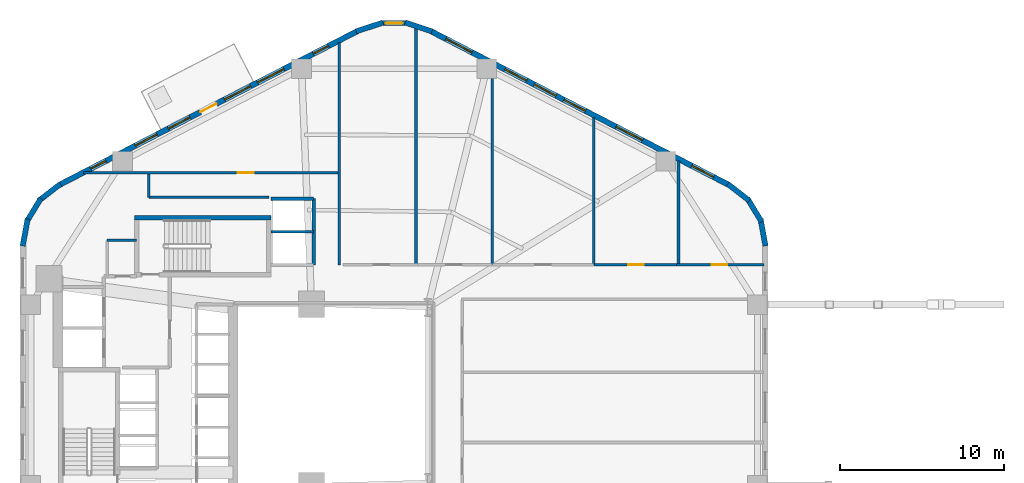
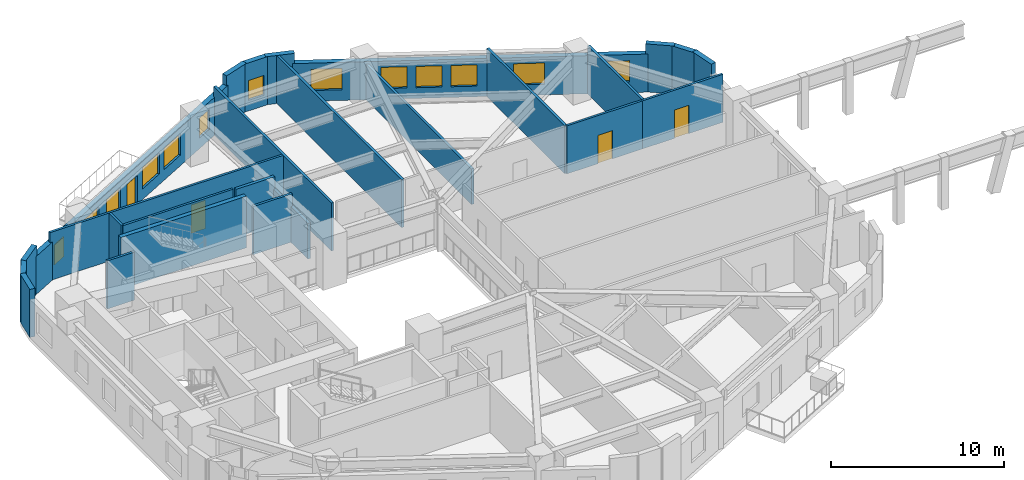
# One storey, part 5 of 8: 26 walls, 13 windows, 4 doors, 17 openings.
"""IFC4 building model written with IfcOpenShell, lengths in metres."""

from ifc_helpers import new_model, si_unit, direction, frame, frame_2d, origin, place, context, subcontext, project, spatial, rectangle, extrude, material, layer, layer_set, type_object, element, fill, save


model = new_model("IFC4")

# Units and contexts
model_context = context("Model", 3, precision=1e-05, world=origin(), true_north=direction((0.0, 1.0)))
body_context = subcontext(model_context, "Body", "Model", "MODEL_VIEW")
ifc_project = project(units=[si_unit("LENGTHUNIT", "METRE"), si_unit("AREAUNIT", "SQUARE_METRE"), si_unit("VOLUMEUNIT", "CUBIC_METRE"), si_unit("PLANEANGLEUNIT", "RADIAN"), si_unit("MASSUNIT", "GRAM", prefix="KILO"), si_unit("THERMODYNAMICTEMPERATUREUNIT", "KELVIN"), si_unit("POWERUNIT", "WATT")], contexts=[model_context])

# Site, building, storey
site_placement = place(None, origin())
site = spatial("IfcSite", under=ifc_project, at=site_placement, CompositionType="ELEMENT")
building_placement = place(site_placement, origin())
building = spatial("IfcBuilding", under=site, at=building_placement, Name="Skarre Station Tower", CompositionType="ELEMENT")
storey_placement = place(building_placement, frame((0.0, 0.0, 45.25)))
storey = spatial("IfcBuildingStorey", under=building, at=storey_placement, Name="L11", CompositionType="ELEMENT", Elevation=45.25)

# Wall
ifc_material_1 = material(Name="Acoustic Steel-Stud Gypsum Partition", Category="steel")
ifc_layer_1 = layer(ifc_material_1, 0.14990234375, Name="Acoustic Steel-Stud Gypsum Partition")
ifc_layer_set_1 = layer_set([ifc_layer_1], Name="Acoustic Steel-Stud Gypsum Partition")
wall_type_1 = type_object("IfcWallType", Name="Fire-Rated Corridor Acoustic Partition 150", PredefinedType="PARTITIONING", material=ifc_layer_set_1)
wall_1_placement = place(storey_placement, frame((21.659912109375, 33.449951171875, 0.0), z_axis=(0.0, 0.0, 1.0), x_axis=(-1.0, 0.0, 0.0)))
element("IfcWall", 1, at=wall_1_placement, inside=storey, type_object=wall_type_1, Name="L11 Interior Partition WL-PT-L11-CNW-N1", PredefinedType="PARTITIONING", context=body_context, shape_type="SweptSolid", body=[
    extrude(rectangle(XDim=1.809814453125, YDim=0.14990234375, at=frame_2d((0.90478515625, 0.0))), origin(), (0.0, 0.0, 1.0), 3.389892578125),
])

# Wall, opening, door
wall_2_placement = place(storey_placement, frame((34.0, 37.580078125, 0.0), z_axis=(0.0, 0.0, 1.0), x_axis=(-1.0, 0.0, 0.0)))
wall_2 = element("IfcWall", 2, at=wall_2_placement, inside=storey, type_object=wall_type_1, Name="L11 Interior Partition WL-PT-L11-NWW1-CW", PredefinedType="PARTITIONING", context=body_context, shape_type="SweptSolid", body=[
    extrude(rectangle(XDim=15.60009765625, YDim=0.14990234375, at=frame_2d((7.800048828125, 0.0))), origin(), (0.0, 0.0, 1.0), 3.389892578125),
])
opening_1_placement = place(wall_2_placement, frame((5.195068359375, 0.0, 0.0)))
opening_1 = element("IfcOpeningElement", 3, at=opening_1_placement, cuts=wall_2, Name="Opening DR-FD60", PredefinedType="OPENING", context=body_context, shape_type="SweptSolid", body=[
    extrude(rectangle(XDim=0.9599609375, YDim=2.0, at=frame_2d((0.47998046875, 1.0))), frame((0.0, 0.0849609375, 0.0), z_axis=(0.0, -1.0, 0.0), x_axis=(1.0, 0.0, 0.0)), (0.0, 0.0, 1.0), 0.169921875),
])
ifc_material_2 = material(Name="Nordic White-Oak Veneer Solid-Core Fire Leaf", Category="wood")
door_type_1 = type_object("IfcDoorType", Name="Corridor Suite Entry Fire Door FD60 960x2150", OperationType="SINGLE_SWING_LEFT", PredefinedType="DOOR", material=ifc_material_2)
door_1_placement = place(opening_1_placement, origin())
door_1 = element("IfcDoor", 4, at=door_1_placement, inside=storey, type_object=door_type_1, Name="L11 NWW1 Entry Door", OperationType="SINGLE_SWING_LEFT", OverallHeight=2.0, OverallWidth=0.9599609375, PredefinedType="DOOR", context=body_context, shape_type="SweptSolid", body=[
    extrude(rectangle(XDim=0.9599609375, YDim=2.0, at=frame_2d((0.47998046875, 1.0))), frame((0.0, 0.02490234375, 0.0), z_axis=(0.0, -1.0, 0.0), x_axis=(1.0, 0.0, 0.0)), (0.0, 0.0, 1.0), 0.050048828125),
])
fill(opening_1, door_1)

wall_3_placement = place(storey_placement, frame((54.656005859375, 31.9599609375, 0.0), z_axis=(0.0, 0.0, 1.0), x_axis=(-1.0, 0.0, 0.0)))
wall_3 = element("IfcWall", 5, at=wall_3_placement, inside=storey, type_object=wall_type_1, Name="L11 Interior Partition WL-PT-L11-NW4-CW", PredefinedType="PARTITIONING", context=body_context, shape_type="SweptSolid", body=[
    extrude(rectangle(XDim=5.030029296875, YDim=0.14990234375, at=frame_2d((2.51513671875, 0.0))), origin(), (0.0, 0.0, 1.0), 3.389892578125),
])
opening_2_placement = place(wall_3_placement, frame((1.97802734375, 0.0, 0.0)))
opening_2 = element("IfcOpeningElement", 6, at=opening_2_placement, cuts=wall_3, Name="Opening DR-FD60", PredefinedType="OPENING", context=body_context, shape_type="SweptSolid", body=[
    extrude(rectangle(XDim=0.9599609375, YDim=2.0, at=frame_2d((0.47998046875, 1.0))), frame((0.0, 0.0849609375, 0.0), z_axis=(0.0, -1.0, 0.0), x_axis=(1.0, 0.0, 0.0)), (0.0, 0.0, 1.0), 0.169921875),
])
door_2_placement = place(opening_2_placement, origin())
door_2 = element("IfcDoor", 7, at=door_2_placement, inside=storey, type_object=door_type_1, Name="L11 NW4 Entry Door", OperationType="SINGLE_SWING_LEFT", OverallHeight=2.0, OverallWidth=0.9599609375, PredefinedType="DOOR", context=body_context, shape_type="SweptSolid", body=[
    extrude(rectangle(XDim=0.9599609375, YDim=2.0, at=frame_2d((0.47998046875, 1.0))), frame((0.0, 0.02490234375, 0.0), z_axis=(0.0, -1.0, 0.0), x_axis=(1.0, 0.0, 0.0)), (0.0, 0.0, 1.0), 0.050048828125),
])
fill(opening_2, door_2)

wall_4_placement = place(storey_placement, frame((60.031982421875, 31.9599609375, 0.0), z_axis=(0.0, 0.0, 1.0), x_axis=(-1.0, 0.0, 0.0)))
wall_4 = element("IfcWall", 8, at=wall_4_placement, inside=storey, type_object=wall_type_1, Name="L11 Interior Partition WL-PT-L11-NW5-CW", PredefinedType="PARTITIONING", context=body_context, shape_type="SweptSolid", body=[
    extrude(rectangle(XDim=5.365966796875, YDim=0.14990234375, at=frame_2d((2.68310546875, 0.0))), origin(), (0.0, 0.0, 1.0), 3.389892578125),
])
opening_3_placement = place(wall_4_placement, frame((2.260009765625, 0.0, 0.0)))
opening_3 = element("IfcOpeningElement", 9, at=opening_3_placement, cuts=wall_4, Name="Opening DR-FD60", PredefinedType="OPENING", context=body_context, shape_type="SweptSolid", body=[
    extrude(rectangle(XDim=0.9599609375, YDim=2.0, at=frame_2d((0.47998046875, 1.0))), frame((0.0, 0.0849609375, 0.0), z_axis=(0.0, -1.0, 0.0), x_axis=(1.0, 0.0, 0.0)), (0.0, 0.0, 1.0), 0.169921875),
])
door_3_placement = place(opening_3_placement, origin())
door_3 = element("IfcDoor", 10, at=door_3_placement, inside=storey, type_object=door_type_1, Name="L11 NW5 Entry Door", OperationType="SINGLE_SWING_LEFT", OverallHeight=2.0, OverallWidth=0.9599609375, PredefinedType="DOOR", context=body_context, shape_type="SweptSolid", body=[
    extrude(rectangle(XDim=0.9599609375, YDim=2.0, at=frame_2d((0.47998046875, 1.0))), frame((0.0, 0.02490234375, 0.0), z_axis=(0.0, -1.0, 0.0), x_axis=(1.0, 0.0, 0.0)), (0.0, 0.0, 1.0), 0.050048828125),
])
fill(opening_3, door_3)

# Walls
wall_5_placement = place(storey_placement, frame((29.7529296875, 36.080078125, 0.0), z_axis=(0.0, 0.0, 1.0), x_axis=(-1.0, 0.0, 0.0)))
element("IfcWall", 11, at=wall_5_placement, inside=storey, type_object=wall_type_1, Name="L11 Interior Partition WL-PT-L11-CSEAL-1", PredefinedType="PARTITIONING", context=body_context, shape_type="SweptSolid", body=[
    extrude(rectangle(XDim=7.35302734375, YDim=0.14990234375, at=frame_2d((3.676513671875, 0.0))), origin(), (0.0, 0.0, 1.0), 3.389892578125),
])
wall_6_placement = place(storey_placement, frame((22.39990234375, 36.080078125, 0.0), z_axis=(0.0, 0.0, 1.0), x_axis=(0.0, 1.0, 0.0)))
element("IfcWall", 12, at=wall_6_placement, inside=storey, type_object=wall_type_1, Name="L11 Interior Partition WL-PT-L11-CSEAL-2", PredefinedType="PARTITIONING", context=body_context, shape_type="SweptSolid", body=[
    extrude(rectangle(XDim=1.429931640625, YDim=0.14990234375, at=frame_2d((0.71484375, 0.0))), origin(), (0.0, 0.0, 1.0), 3.389892578125),
])

# Wall, openings, windows
ifc_material_3 = material(Name="Precast concrete C45/55", Category="concrete")
ifc_layer_2 = layer(ifc_material_3, 0.340087890625, Name="Precast concrete C45/55")
ifc_layer_set_2 = layer_set([ifc_layer_2], Name="Precast concrete C45/55")
wall_type_2 = type_object("IfcWallType", Name="Nordic Honed Precast Facet Wall 340", PredefinedType="STANDARD", material=ifc_layer_set_2)
wall_7_placement = place(storey_placement, frame((39.631103515625, 46.257080078125, 0.0), z_axis=(0.0, 0.0, 1.0), x_axis=(0.888634413993, -0.458616264721, 0.0)))
wall_7 = element("IfcWall", 13, at=wall_7_placement, inside=storey, type_object=wall_type_2, Name="L11 Facet 0 Nordic Precast Masonry Wall", PredefinedType="STANDARD", context=body_context, shape_type="SweptSolid", body=[
    extrude(rectangle(XDim=20.53125, YDim=0.340087890625, at=frame_2d((10.265625, 0.0))), origin(), (0.0, 0.0, 1.0), 2.68408203125),
])
opening_4_placement = place(wall_7_placement, frame((1.05810546875, 0.0, 0.75)))
opening_4 = element("IfcOpeningElement", 14, at=opening_4_placement, cuts=wall_7, Name="Opening WN-Z1A", PredefinedType="OPENING", context=body_context, shape_type="SweptSolid", body=[
    extrude(rectangle(XDim=1.800048828125, YDim=1.5, at=frame_2d((0.89990234375, 0.75))), frame((0.0, 0.179931640625, 0.0), z_axis=(0.0, -1.0, 0.0), x_axis=(1.0, 0.0, 0.0)), (0.0, 0.0, 1.0), 0.360107421875),
])
opening_5_placement = place(wall_7_placement, frame((5.110107421875, 0.0, 0.75)))
opening_5 = element("IfcOpeningElement", 15, at=opening_5_placement, cuts=wall_7, Name="Opening WN-Z1B", PredefinedType="OPENING", context=body_context, shape_type="SweptSolid", body=[
    extrude(rectangle(XDim=1.5, YDim=1.5, at=frame_2d((0.75, 0.75))), frame((0.0, 0.179931640625, 0.0), z_axis=(0.0, -1.0, 0.0), x_axis=(1.0, 0.0, 0.0)), (0.0, 0.0, 1.0), 0.360107421875),
])
opening_6_placement = place(wall_7_placement, frame((7.137939453125, 0.0, 0.75)))
opening_6 = element("IfcOpeningElement", 16, at=opening_6_placement, cuts=wall_7, Name="Opening WN-Z1B", PredefinedType="OPENING", context=body_context, shape_type="SweptSolid", body=[
    extrude(rectangle(XDim=1.5, YDim=1.5, at=frame_2d((0.75, 0.75))), frame((0.0, 0.179931640625, 0.0), z_axis=(0.0, -1.0, 0.0), x_axis=(1.0, 0.0, 0.0)), (0.0, 0.0, 1.0), 0.360107421875),
])
opening_7_placement = place(wall_7_placement, frame((9.1650390625, 0.0, 0.75)))
opening_7 = element("IfcOpeningElement", 17, at=opening_7_placement, cuts=wall_7, Name="Opening WN-Z1B", PredefinedType="OPENING", context=body_context, shape_type="SweptSolid", body=[
    extrude(rectangle(XDim=1.5, YDim=1.5, at=frame_2d((0.75, 0.75))), frame((0.0, 0.179931640625, 0.0), z_axis=(0.0, -1.0, 0.0), x_axis=(1.0, 0.0, 0.0)), (0.0, 0.0, 1.0), 0.360107421875),
])
opening_8_placement = place(wall_7_placement, frame((12.77001953125, 0.0, 0.75)))
opening_8 = element("IfcOpeningElement", 18, at=opening_8_placement, cuts=wall_7, Name="Opening WN-Z1A", PredefinedType="OPENING", context=body_context, shape_type="SweptSolid", body=[
    extrude(rectangle(XDim=1.800048828125, YDim=1.5, at=frame_2d((0.89990234375, 0.75))), frame((0.0, 0.179931640625, 0.0), z_axis=(0.0, -1.0, 0.0), x_axis=(1.0, 0.0, 0.0)), (0.0, 0.0, 1.0), 0.360107421875),
])
opening_9_placement = place(wall_7_placement, frame((17.97998046875, 0.0, 0.75)))
opening_9 = element("IfcOpeningElement", 19, at=opening_9_placement, cuts=wall_7, Name="Opening WN-Z1B", PredefinedType="OPENING", context=body_context, shape_type="SweptSolid", body=[
    extrude(rectangle(XDim=1.5, YDim=1.5, at=frame_2d((0.75, 0.75))), frame((0.0, 0.179931640625, 0.0), z_axis=(0.0, -1.0, 0.0), x_axis=(1.0, 0.0, 0.0)), (0.0, 0.0, 1.0), 0.360107421875),
])
ifc_material_4 = material(Name="Low-Iron Triple Glazing with Bronze Anodized Frame", Category="glass")
window_type_1 = type_object("IfcWindowType", Name="Nordic Punched Triple-Glazed Window 1500x1500", PartitioningType="SINGLE_PANEL", PredefinedType="WINDOW", material=ifc_material_4)
window_1_placement = place(opening_5_placement, origin())
window_1 = element("IfcWindow", 20, at=window_1_placement, inside=storey, type_object=window_type_1, Name="L11 Facade Window WL-FAC-L11-F0-2", OverallHeight=1.5, OverallWidth=1.5, PartitioningType="SINGLE_PANEL", PredefinedType="WINDOW", context=body_context, shape_type="SweptSolid", body=[
    extrude(rectangle(XDim=1.5, YDim=1.5, at=frame_2d((0.75, 0.75))), frame((0.0, 0.030029296875, 0.0), z_axis=(0.0, -1.0, 0.0), x_axis=(1.0, 0.0, 0.0)), (0.0, 0.0, 1.0), 0.06005859375),
])
fill(opening_5, window_1)
window_2_placement = place(opening_6_placement, origin())
window_2 = element("IfcWindow", 21, at=window_2_placement, inside=storey, type_object=window_type_1, Name="L11 Facade Window WL-FAC-L11-F0-3", OverallHeight=1.5, OverallWidth=1.5, PartitioningType="SINGLE_PANEL", PredefinedType="WINDOW", context=body_context, shape_type="SweptSolid", body=[
    extrude(rectangle(XDim=1.5, YDim=1.5, at=frame_2d((0.75, 0.75))), frame((0.0, 0.030029296875, 0.0), z_axis=(0.0, -1.0, 0.0), x_axis=(1.0, 0.0, 0.0)), (0.0, 0.0, 1.0), 0.06005859375),
])
fill(opening_6, window_2)
window_3_placement = place(opening_7_placement, origin())
window_3 = element("IfcWindow", 22, at=window_3_placement, inside=storey, type_object=window_type_1, Name="L11 Facade Window WL-FAC-L11-F0-4", OverallHeight=1.5, OverallWidth=1.5, PartitioningType="SINGLE_PANEL", PredefinedType="WINDOW", context=body_context, shape_type="SweptSolid", body=[
    extrude(rectangle(XDim=1.5, YDim=1.5, at=frame_2d((0.75, 0.75))), frame((0.0, 0.030029296875, 0.0), z_axis=(0.0, -1.0, 0.0), x_axis=(1.0, 0.0, 0.0)), (0.0, 0.0, 1.0), 0.06005859375),
])
fill(opening_7, window_3)
window_4_placement = place(opening_9_placement, origin())
window_4 = element("IfcWindow", 23, at=window_4_placement, inside=storey, type_object=window_type_1, Name="L11 Facade Window WL-FAC-L11-F0-6", OverallHeight=1.5, OverallWidth=1.5, PartitioningType="SINGLE_PANEL", PredefinedType="WINDOW", context=body_context, shape_type="SweptSolid", body=[
    extrude(rectangle(XDim=1.5, YDim=1.5, at=frame_2d((0.75, 0.75))), frame((0.0, 0.030029296875, 0.0), z_axis=(0.0, -1.0, 0.0), x_axis=(1.0, 0.0, 0.0)), (0.0, 0.0, 1.0), 0.06005859375),
])
fill(opening_9, window_4)
window_type_2 = type_object("IfcWindowType", Name="Nordic Punched Triple-Glazed Window 1800x1500", PartitioningType="SINGLE_PANEL", PredefinedType="WINDOW", material=ifc_material_4)
window_5_placement = place(opening_4_placement, origin())
window_5 = element("IfcWindow", 24, at=window_5_placement, inside=storey, type_object=window_type_2, Name="L11 Facade Window WL-FAC-L11-F0-1", OverallHeight=1.5, OverallWidth=1.800048828125, PartitioningType="SINGLE_PANEL", PredefinedType="WINDOW", context=body_context, shape_type="SweptSolid", body=[
    extrude(rectangle(XDim=1.800048828125, YDim=1.5, at=frame_2d((0.89990234375, 0.75))), frame((0.0, 0.030029296875, 0.0), z_axis=(0.0, -1.0, 0.0), x_axis=(1.0, 0.0, 0.0)), (0.0, 0.0, 1.0), 0.06005859375),
])
fill(opening_4, window_5)
window_6_placement = place(opening_8_placement, origin())
window_6 = element("IfcWindow", 25, at=window_6_placement, inside=storey, type_object=window_type_2, Name="L11 Facade Window WL-FAC-L11-F0-5", OverallHeight=1.5, OverallWidth=1.800048828125, PartitioningType="SINGLE_PANEL", PredefinedType="WINDOW", context=body_context, shape_type="SweptSolid", body=[
    extrude(rectangle(XDim=1.800048828125, YDim=1.5, at=frame_2d((0.89990234375, 0.75))), frame((0.0, 0.030029296875, 0.0), z_axis=(0.0, -1.0, 0.0), x_axis=(1.0, 0.0, 0.0)), (0.0, 0.0, 1.0), 0.06005859375),
])
fill(opening_8, window_6)

# Wall, openings, windows, door
wall_8_placement = place(storey_placement, frame((16.924072265625, 36.841064453125, 0.0), z_axis=(0.0, 0.0, 1.0), x_axis=(0.888634413993, 0.458616264721, 0.0)))
wall_8 = element("IfcWall", 26, at=wall_8_placement, inside=storey, type_object=wall_type_2, Name="L11 Facet 1 Nordic Precast Masonry Wall", PredefinedType="STANDARD", context=body_context, shape_type="SweptSolid", body=[
    extrude(rectangle(XDim=20.53125, YDim=0.340087890625, at=frame_2d((10.265625, 0.0))), origin(), (0.0, 0.0, 1.0), 2.68408203125),
])
opening_10_placement = place(wall_8_placement, frame((9.716064453125, 0.0, 0.0)))
opening_10 = element("IfcOpeningElement", 27, at=opening_10_placement, cuts=wall_8, Name="Opening DR-BAL110", PredefinedType="OPENING", context=body_context, shape_type="SweptSolid", body=[
    extrude(rectangle(XDim=1.10009765625, YDim=2.0400390625, at=frame_2d((0.550048828125, 1.02001953125))), frame((0.0, 0.179931640625, 0.0), z_axis=(0.0, -1.0, 0.0), x_axis=(1.0, 0.0, 0.0)), (0.0, 0.0, 1.0), 0.360107421875),
])
opening_11_placement = place(wall_8_placement, frame((2.160888671875, 0.0, 0.75)))
opening_11 = element("IfcOpeningElement", 28, at=opening_11_placement, cuts=wall_8, Name="Opening WN-SLT", PredefinedType="OPENING", context=body_context, shape_type="SweptSolid", body=[
    extrude(rectangle(XDim=1.050048828125, YDim=1.39990234375, at=frame_2d((0.52490234375, 0.699951171875))), frame((0.0, 0.179931640625, 0.0), z_axis=(0.0, -1.0, 0.0), x_axis=(1.0, 0.0, 0.0)), (0.0, 0.0, 1.0), 0.360107421875),
])
opening_12_placement = place(wall_8_placement, frame((5.23388671875, 0.0, 0.75)))
opening_12 = element("IfcOpeningElement", 29, at=opening_12_placement, cuts=wall_8, Name="Opening WN-Z1B", PredefinedType="OPENING", context=body_context, shape_type="SweptSolid", body=[
    extrude(rectangle(XDim=1.5, YDim=1.5, at=frame_2d((0.75, 0.75))), frame((0.0, 0.179931640625, 0.0), z_axis=(0.0, -1.0, 0.0), x_axis=(1.0, 0.0, 0.0)), (0.0, 0.0, 1.0), 0.360107421875),
])
opening_13_placement = place(wall_8_placement, frame((7.509033203125, 0.0, 0.75)))
opening_13 = element("IfcOpeningElement", 30, at=opening_13_placement, cuts=wall_8, Name="Opening WN-Z1B", PredefinedType="OPENING", context=body_context, shape_type="SweptSolid", body=[
    extrude(rectangle(XDim=1.5, YDim=1.5, at=frame_2d((0.75, 0.75))), frame((0.0, 0.179931640625, 0.0), z_axis=(0.0, -1.0, 0.0), x_axis=(1.0, 0.0, 0.0)), (0.0, 0.0, 1.0), 0.360107421875),
])
opening_14_placement = place(wall_8_placement, frame((11.373046875, 0.0, 0.75)))
opening_14 = element("IfcOpeningElement", 31, at=opening_14_placement, cuts=wall_8, Name="Opening WN-Z1A", PredefinedType="OPENING", context=body_context, shape_type="SweptSolid", body=[
    extrude(rectangle(XDim=1.800048828125, YDim=1.5, at=frame_2d((0.89990234375, 0.75))), frame((0.0, 0.179931640625, 0.0), z_axis=(0.0, -1.0, 0.0), x_axis=(1.0, 0.0, 0.0)), (0.0, 0.0, 1.0), 0.360107421875),
])
opening_15_placement = place(wall_8_placement, frame((13.64794921875, 0.0, 0.75)))
opening_15 = element("IfcOpeningElement", 32, at=opening_15_placement, cuts=wall_8, Name="Opening WN-Z1A", PredefinedType="OPENING", context=body_context, shape_type="SweptSolid", body=[
    extrude(rectangle(XDim=1.800048828125, YDim=1.5, at=frame_2d((0.89990234375, 0.75))), frame((0.0, 0.179931640625, 0.0), z_axis=(0.0, -1.0, 0.0), x_axis=(1.0, 0.0, 0.0)), (0.0, 0.0, 1.0), 0.360107421875),
])
opening_16_placement = place(wall_8_placement, frame((17.47607421875, 0.0, 0.75)))
opening_16 = element("IfcOpeningElement", 33, at=opening_16_placement, cuts=wall_8, Name="Opening WN-SLT", PredefinedType="OPENING", context=body_context, shape_type="SweptSolid", body=[
    extrude(rectangle(XDim=1.050048828125, YDim=1.39990234375, at=frame_2d((0.52490234375, 0.699951171875))), frame((0.0, 0.179931640625, 0.0), z_axis=(0.0, -1.0, 0.0), x_axis=(1.0, 0.0, 0.0)), (0.0, 0.0, 1.0), 0.360107421875),
])
window_type_3 = type_object("IfcWindowType", Name="Nordic Corner Slot Window 1050x1400", PartitioningType="SINGLE_PANEL", PredefinedType="WINDOW", material=ifc_material_4)
window_7_placement = place(opening_11_placement, origin())
window_7 = element("IfcWindow", 34, at=window_7_placement, inside=storey, type_object=window_type_3, Name="L11 Facade Window WL-FAC-L11-F1-1", OverallHeight=1.39990234375, OverallWidth=1.050048828125, PartitioningType="SINGLE_PANEL", PredefinedType="WINDOW", context=body_context, shape_type="SweptSolid", body=[
    extrude(rectangle(XDim=1.050048828125, YDim=1.39990234375, at=frame_2d((0.52490234375, 0.699951171875))), frame((0.0, 0.030029296875, 0.0), z_axis=(0.0, -1.0, 0.0), x_axis=(1.0, 0.0, 0.0)), (0.0, 0.0, 1.0), 0.06005859375),
])
fill(opening_11, window_7)
window_8_placement = place(opening_16_placement, origin())
window_8 = element("IfcWindow", 35, at=window_8_placement, inside=storey, type_object=window_type_3, Name="L11 Facade Window WL-FAC-L11-F1-6", OverallHeight=1.39990234375, OverallWidth=1.050048828125, PartitioningType="SINGLE_PANEL", PredefinedType="WINDOW", context=body_context, shape_type="SweptSolid", body=[
    extrude(rectangle(XDim=1.050048828125, YDim=1.39990234375, at=frame_2d((0.52490234375, 0.699951171875))), frame((0.0, 0.030029296875, 0.0), z_axis=(0.0, -1.0, 0.0), x_axis=(1.0, 0.0, 0.0)), (0.0, 0.0, 1.0), 0.06005859375),
])
fill(opening_16, window_8)
window_9_placement = place(opening_12_placement, origin())
window_9 = element("IfcWindow", 36, at=window_9_placement, inside=storey, type_object=window_type_1, Name="L11 Facade Window WL-FAC-L11-F1-2", OverallHeight=1.5, OverallWidth=1.5, PartitioningType="SINGLE_PANEL", PredefinedType="WINDOW", context=body_context, shape_type="SweptSolid", body=[
    extrude(rectangle(XDim=1.5, YDim=1.5, at=frame_2d((0.75, 0.75))), frame((0.0, 0.030029296875, 0.0), z_axis=(0.0, -1.0, 0.0), x_axis=(1.0, 0.0, 0.0)), (0.0, 0.0, 1.0), 0.06005859375),
])
fill(opening_12, window_9)
window_10_placement = place(opening_13_placement, origin())
window_10 = element("IfcWindow", 37, at=window_10_placement, inside=storey, type_object=window_type_1, Name="L11 Facade Window WL-FAC-L11-F1-3", OverallHeight=1.5, OverallWidth=1.5, PartitioningType="SINGLE_PANEL", PredefinedType="WINDOW", context=body_context, shape_type="SweptSolid", body=[
    extrude(rectangle(XDim=1.5, YDim=1.5, at=frame_2d((0.75, 0.75))), frame((0.0, 0.030029296875, 0.0), z_axis=(0.0, -1.0, 0.0), x_axis=(1.0, 0.0, 0.0)), (0.0, 0.0, 1.0), 0.06005859375),
])
fill(opening_13, window_10)
window_11_placement = place(opening_14_placement, origin())
window_11 = element("IfcWindow", 38, at=window_11_placement, inside=storey, type_object=window_type_2, Name="L11 Facade Window WL-FAC-L11-F1-4", OverallHeight=1.5, OverallWidth=1.800048828125, PartitioningType="SINGLE_PANEL", PredefinedType="WINDOW", context=body_context, shape_type="SweptSolid", body=[
    extrude(rectangle(XDim=1.800048828125, YDim=1.5, at=frame_2d((0.89990234375, 0.75))), frame((0.0, 0.030029296875, 0.0), z_axis=(0.0, -1.0, 0.0), x_axis=(1.0, 0.0, 0.0)), (0.0, 0.0, 1.0), 0.06005859375),
])
fill(opening_14, window_11)
window_12_placement = place(opening_15_placement, origin())
window_12 = element("IfcWindow", 39, at=window_12_placement, inside=storey, type_object=window_type_2, Name="L11 Facade Window WL-FAC-L11-F1-5", OverallHeight=1.5, OverallWidth=1.800048828125, PartitioningType="SINGLE_PANEL", PredefinedType="WINDOW", context=body_context, shape_type="SweptSolid", body=[
    extrude(rectangle(XDim=1.800048828125, YDim=1.5, at=frame_2d((0.89990234375, 0.75))), frame((0.0, 0.030029296875, 0.0), z_axis=(0.0, -1.0, 0.0), x_axis=(1.0, 0.0, 0.0)), (0.0, 0.0, 1.0), 0.06005859375),
])
fill(opening_15, window_12)
ifc_material_5 = material(Name="Thermally Broken Aluminium & Triple Glazing", Category="aluminium")
door_type_2 = type_object("IfcDoorType", Name="Terrace & Tree-Balcony Glazed Door 1100x2200", OperationType="SINGLE_SWING_LEFT", PredefinedType="DOOR", material=ifc_material_5)
door_4_placement = place(opening_10_placement, origin())
door_4 = element("IfcDoor", 40, at=door_4_placement, inside=storey, type_object=door_type_2, Name="L11 TB-L11-F1 Tree-Balcony Glazed Door", OperationType="SINGLE_SWING_LEFT", OverallHeight=2.0400390625, OverallWidth=1.10009765625, PredefinedType="DOOR", context=body_context, shape_type="SweptSolid", body=[
    extrude(rectangle(XDim=1.10009765625, YDim=2.0400390625, at=frame_2d((0.550048828125, 1.02001953125))), frame((0.0, 0.02490234375, 0.0), z_axis=(0.0, -1.0, 0.0), x_axis=(1.0, 0.0, 0.0)), (0.0, 0.0, 1.0), 0.050048828125),
])
fill(opening_10, door_4)

# Walls
ifc_layer_3 = layer(ifc_material_3, 0.330078125, Name="Precast concrete C45/55")
ifc_layer_set_3 = layer_set([ifc_layer_3], Name="Precast concrete C45/55")
wall_type_3 = type_object("IfcWallType", Name="Nordic Rounded Corner Precast Wall 330", PredefinedType="STANDARD", material=ifc_layer_set_3)
wall_9_placement = place(storey_placement, frame((57.802001953125, 36.90087890625, 0.0), z_axis=(0.0, 0.0, 1.0), x_axis=(0.790691856293, -0.61221433207, 0.0)))
element("IfcWall", 41, at=wall_9_placement, inside=storey, type_object=wall_type_3, Name="L11 Rounded Corner Precast Wall F0-1", PredefinedType="STANDARD", context=body_context, shape_type="SweptSolid", body=[
    extrude(rectangle(XDim=1.67578125, YDim=0.330078125, at=frame_2d((0.837890625, 0.0))), origin(), (0.0, 0.0, 1.0), 3.389892578125),
])
wall_10_placement = place(storey_placement, frame((59.001953125, 36.014892578125, 0.0), z_axis=(0.0, 0.0, 1.0), x_axis=(0.520584129191, -0.853810379671, 0.0)))
element("IfcWall", 42, at=wall_10_placement, inside=storey, type_object=wall_type_3, Name="L11 Rounded Corner Precast Wall F0-2", PredefinedType="STANDARD", context=body_context, shape_type="SweptSolid", body=[
    extrude(rectangle(XDim=1.677001953125, YDim=0.330078125, at=frame_2d((0.83837890625, 0.0))), origin(), (0.0, 0.0, 1.0), 3.389892578125),
])
wall_11_placement = place(storey_placement, frame((59.80810546875, 34.758056640625, 0.0), z_axis=(0.0, 0.0, 1.0), x_axis=(0.181714143354, -0.983351397063, 0.0)))
element("IfcWall", 43, at=wall_11_placement, inside=storey, type_object=wall_type_3, Name="L11 Rounded Corner Precast Wall F0-3", PredefinedType="STANDARD", context=body_context, shape_type="SweptSolid", body=[
    extrude(rectangle(XDim=1.677978515625, YDim=0.330078125, at=frame_2d((0.8388671875, 0.0))), origin(), (0.0, 0.0, 1.0), 3.389892578125),
])
wall_12_placement = place(storey_placement, frame((35.0810546875, 46.23095703125, 0.0), z_axis=(0.0, 0.0, 1.0), x_axis=(0.94976901097, 0.312951794691, 0.0)))
element("IfcWall", 44, at=wall_12_placement, inside=storey, type_object=wall_type_3, Name="L11 Rounded Corner Precast Wall F1-1", PredefinedType="STANDARD", context=body_context, shape_type="SweptSolid", body=[
    extrude(rectangle(XDim=1.722412109375, YDim=0.330078125, at=frame_2d((0.861328125, 0.0))), origin(), (0.0, 0.0, 1.0), 3.389892578125),
])

# Wall, opening, window
wall_13_placement = place(storey_placement, frame((36.5390625, 46.740966796875, 0.0), z_axis=(0.0, 0.0, 1.0), x_axis=(1.0, 0.0, 0.0)))
wall_13 = element("IfcWall", 45, at=wall_13_placement, inside=storey, type_object=wall_type_3, Name="L11 Rounded Corner Precast Wall F1-2", PredefinedType="STANDARD", context=body_context, shape_type="SweptSolid", body=[
    extrude(rectangle(XDim=1.721923828125, YDim=0.330078125, at=frame_2d((0.86083984375, 0.0))), origin(), (0.0, 0.0, 1.0), 3.389892578125),
])
opening_17_placement = place(wall_13_placement, frame((0.3359375, 0.0, 0.75)))
opening_17 = element("IfcOpeningElement", 46, at=opening_17_placement, cuts=wall_13, Name="Opening WN-SLT", PredefinedType="OPENING", context=body_context, shape_type="SweptSolid", body=[
    extrude(rectangle(XDim=1.050048828125, YDim=1.39990234375, at=frame_2d((0.52490234375, 0.699951171875))), frame((0.0, 0.175048828125, 0.0), z_axis=(0.0, -1.0, 0.0), x_axis=(1.0, 0.0, 0.0)), (0.0, 0.0, 1.0), 0.35009765625),
])
window_13_placement = place(opening_17_placement, origin())
window_13 = element("IfcWindow", 47, at=window_13_placement, inside=storey, type_object=window_type_3, Name="L11 Apex Corner Slot Window F1-2", OverallHeight=1.39990234375, OverallWidth=1.050048828125, PartitioningType="SINGLE_PANEL", PredefinedType="WINDOW", context=body_context, shape_type="SweptSolid", body=[
    extrude(rectangle(XDim=1.050048828125, YDim=1.39990234375, at=frame_2d((0.52490234375, 0.699951171875))), frame((0.0, 0.030029296875, 0.0), z_axis=(0.0, -1.0, 0.0), x_axis=(1.0, 0.0, 0.0)), (0.0, 0.0, 1.0), 0.06005859375),
])
fill(opening_17, window_13)

# Walls
wall_14_placement = place(storey_placement, frame((38.0830078125, 46.77001953125, 0.0), z_axis=(0.0, 0.0, 1.0), x_axis=(0.94976901097, -0.312951794691, 0.0)))
element("IfcWall", 48, at=wall_14_placement, inside=storey, type_object=wall_type_3, Name="L11 Rounded Corner Precast Wall F1-3", PredefinedType="STANDARD", context=body_context, shape_type="SweptSolid", body=[
    extrude(rectangle(XDim=1.722412109375, YDim=0.330078125, at=frame_2d((0.861328125, 0.0))), origin(), (0.0, 0.0, 1.0), 3.389892578125),
])
wall_15_placement = place(storey_placement, frame((14.68701171875, 33.10791015625, 0.0), z_axis=(0.0, 0.0, 1.0), x_axis=(0.181714143354, 0.983351397063, 0.0)))
element("IfcWall", 49, at=wall_15_placement, inside=storey, type_object=wall_type_3, Name="L11 Rounded Corner Precast Wall F2-1", PredefinedType="STANDARD", context=body_context, shape_type="SweptSolid", body=[
    extrude(rectangle(XDim=1.677978515625, YDim=0.330078125, at=frame_2d((0.8388671875, 0.0))), origin(), (0.0, 0.0, 1.0), 3.389892578125),
])
wall_16_placement = place(storey_placement, frame((14.925048828125, 34.5830078125, 0.0), z_axis=(0.0, 0.0, 1.0), x_axis=(0.520584129191, 0.853810379671, 0.0)))
element("IfcWall", 50, at=wall_16_placement, inside=storey, type_object=wall_type_3, Name="L11 Rounded Corner Precast Wall F2-2", PredefinedType="STANDARD", context=body_context, shape_type="SweptSolid", body=[
    extrude(rectangle(XDim=1.677001953125, YDim=0.330078125, at=frame_2d((0.83837890625, 0.0))), origin(), (0.0, 0.0, 1.0), 3.389892578125),
])
wall_17_placement = place(storey_placement, frame((15.673095703125, 35.875, 0.0), z_axis=(0.0, 0.0, 1.0), x_axis=(0.790691856293, 0.61221433207, 0.0)))
element("IfcWall", 51, at=wall_17_placement, inside=storey, type_object=wall_type_3, Name="L11 Rounded Corner Precast Wall F2-3", PredefinedType="STANDARD", context=body_context, shape_type="SweptSolid", body=[
    extrude(rectangle(XDim=1.67578125, YDim=0.330078125, at=frame_2d((0.837890625, 0.0))), origin(), (0.0, 0.0, 1.0), 3.389892578125),
])
ifc_material_6 = material(Name="Concrete C50/60", Category="concrete")
ifc_layer_4 = layer(ifc_material_6, 0.280029296875, Name="Concrete C50/60")
ifc_layer_set_4 = layer_set([ifc_layer_4], Name="Concrete C50/60")
wall_type_4 = type_object("IfcWallType", Name="RC Core Shear Wall 280", PredefinedType="SHEAR", material=ifc_layer_set_4)
wall_18_placement = place(storey_placement, frame((29.8798828125, 34.840087890625, 0.0), z_axis=(0.0, 0.0, 1.0), x_axis=(-1.0, 0.0, 0.0)))
element("IfcWall", 52, at=wall_18_placement, inside=storey, type_object=wall_type_4, Name="L11 Stair ST-3 North Shear Wall", PredefinedType="SHEAR", context=body_context, shape_type="SweptSolid", body=[
    extrude(rectangle(XDim=8.35986328125, YDim=0.280029296875, at=frame_2d((4.179931640625, 0.0))), origin(), (0.0, 0.0, 1.0), 3.64990234375),
])
ifc_material_7 = material(Name="Gypsum Concrete Shaft Assembly C30/37", Category="concrete")
ifc_layer_5 = layer(ifc_material_7, 0.199951171875, Name="Gypsum Concrete Shaft Assembly C30/37")
ifc_layer_set_5 = layer_set([ifc_layer_5], Name="Gypsum Concrete Shaft Assembly C30/37")
wall_type_5 = type_object("IfcWallType", Name="Shaft & Core Fire Partition 200", PredefinedType="PARTITIONING", material=ifc_layer_set_5)
wall_19_placement = place(storey_placement, frame((32.47998046875, 31.949951171875, 0.0), z_axis=(0.0, 0.0, 1.0), x_axis=(0.0, 1.0, 0.0)))
element("IfcWall", 53, at=wall_19_placement, inside=storey, type_object=wall_type_5, Name="L11 Interior Partition WL-PT-L11-EX-E", PredefinedType="PARTITIONING", context=body_context, shape_type="SweptSolid", body=[
    extrude(rectangle(XDim=4.050048828125, YDim=0.199951171875, at=frame_2d((2.02490234375, 0.0))), origin(), (0.0, 0.0, 1.0), 2.512939453125),
])
wall_20_placement = place(storey_placement, frame((29.8798828125, 36.0, 0.0), z_axis=(0.0, 0.0, 1.0), x_axis=(1.0, 0.0, 0.0)))
element("IfcWall", 54, at=wall_20_placement, inside=storey, type_object=wall_type_5, Name="L11 Interior Partition WL-PT-L11-EX-N", PredefinedType="PARTITIONING", context=body_context, shape_type="SweptSolid", body=[
    extrude(rectangle(XDim=2.60009765625, YDim=0.199951171875, at=frame_2d((1.300048828125, 0.0))), origin(), (0.0, 0.0, 1.0), 3.389892578125),
])
wall_21_placement = place(storey_placement, frame((29.875, 33.97998046875, 0.0), z_axis=(0.0, 0.0, 1.0), x_axis=(1.0, 0.0, 0.0)))
element("IfcWall", 55, at=wall_21_placement, inside=storey, type_object=wall_type_5, Name="L11 Interior Partition WL-PT-L11-EX-DIV", PredefinedType="PARTITIONING", context=body_context, shape_type="SweptSolid", body=[
    extrude(rectangle(XDim=2.60498046875, YDim=0.159912109375, at=frame_2d((1.302490234375, 0.0))), origin(), (0.0, 0.0, 1.0), 3.389892578125),
])
ifc_layer_6 = layer(ifc_material_1, 0.1650390625, Name="Acoustic Steel-Stud Gypsum Partition")
ifc_layer_set_6 = layer_set([ifc_layer_6], Name="Acoustic Steel-Stud Gypsum Partition")
wall_type_6 = type_object("IfcWallType", Name="Suite Demising Acoustic Partition 165", PredefinedType="PARTITIONING", material=ifc_layer_set_6)
wall_22_placement = place(storey_placement, frame((34.0400390625, 31.9599609375, 0.0), z_axis=(0.0, 0.0, 1.0), x_axis=(0.0, 1.0, 0.0)))
element("IfcWall", 56, at=wall_22_placement, inside=storey, type_object=wall_type_6, Name="L11 Interior Partition WL-PT-L11-NW-WBND", PredefinedType="PARTITIONING", context=body_context, shape_type="SweptSolid", body=[
    extrude(rectangle(XDim=13.5791015625, YDim=0.1650390625, at=frame_2d((6.78955078125, 0.0))), origin(), (0.0, 0.0, 1.0), 3.389892578125),
])
wall_23_placement = place(storey_placement, frame((38.739013671875, 31.969970703125, 0.0), z_axis=(0.0, 0.0, 1.0), x_axis=(0.0, 1.0, 0.0)))
element("IfcWall", 57, at=wall_23_placement, inside=storey, type_object=wall_type_6, Name="L11 Interior Partition WL-PT-L11-NW-P1", PredefinedType="PARTITIONING", context=body_context, shape_type="SweptSolid", body=[
    extrude(rectangle(XDim=14.4521484375, YDim=0.1650390625, at=frame_2d((7.22607421875, 0.0))), origin(), (0.0, 0.0, 1.0), 3.389892578125),
])
wall_24_placement = place(storey_placement, frame((43.39794921875, 31.969970703125, 0.0), z_axis=(0.0, 0.0, 1.0), x_axis=(0.0, 1.0, 0.0)))
element("IfcWall", 58, at=wall_24_placement, inside=storey, type_object=wall_type_6, Name="L11 Interior Partition WL-PT-L11-NW-P2", PredefinedType="PARTITIONING", context=body_context, shape_type="SweptSolid", body=[
    extrude(rectangle(XDim=12.2080078125, YDim=0.1650390625, at=frame_2d((6.10400390625, 0.0))), origin(), (0.0, 0.0, 1.0), 2.512939453125),
])
wall_25_placement = place(storey_placement, frame((49.610107421875, 31.969970703125, 0.0), z_axis=(0.0, 0.0, 1.0), x_axis=(0.0, 1.0, 0.0)))
element("IfcWall", 59, at=wall_25_placement, inside=storey, type_object=wall_type_6, Name="L11 Interior Partition WL-PT-L11-NW-P3", PredefinedType="PARTITIONING", context=body_context, shape_type="SweptSolid", body=[
    extrude(rectangle(XDim=9.001953125, YDim=0.1650390625, at=frame_2d((4.5009765625, 0.0))), origin(), (0.0, 0.0, 1.0), 3.389892578125),
])
wall_26_placement = place(storey_placement, frame((54.785888671875, 31.969970703125, 0.0), z_axis=(0.0, 0.0, 1.0), x_axis=(0.0, 1.0, 0.0)))
element("IfcWall", 60, at=wall_26_placement, inside=storey, type_object=wall_type_6, Name="L11 Interior Partition WL-PT-L11-NW-P4", PredefinedType="PARTITIONING", context=body_context, shape_type="SweptSolid", body=[
    extrude(rectangle(XDim=6.3310546875, YDim=0.1650390625, at=frame_2d((3.16552734375, 0.0))), origin(), (0.0, 0.0, 1.0), 3.389892578125),
])

save(model, "model.ifc")
